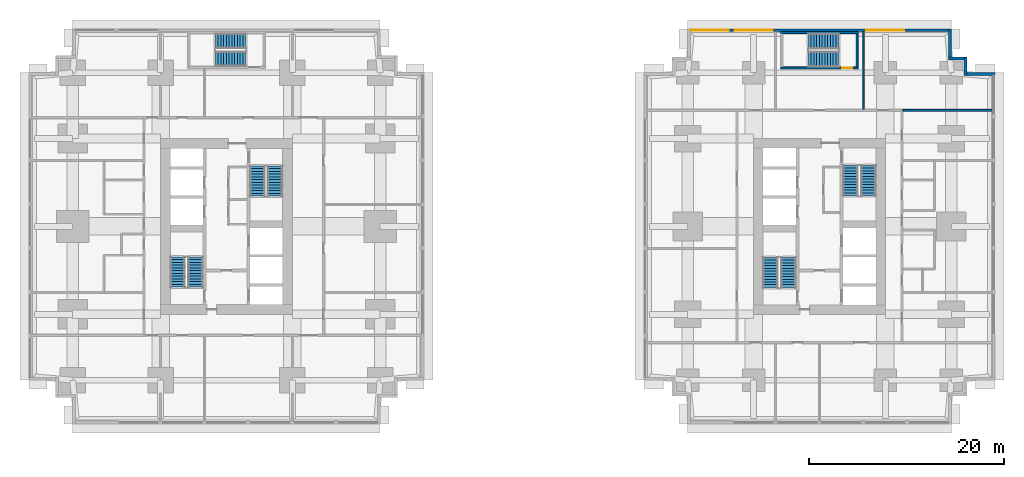
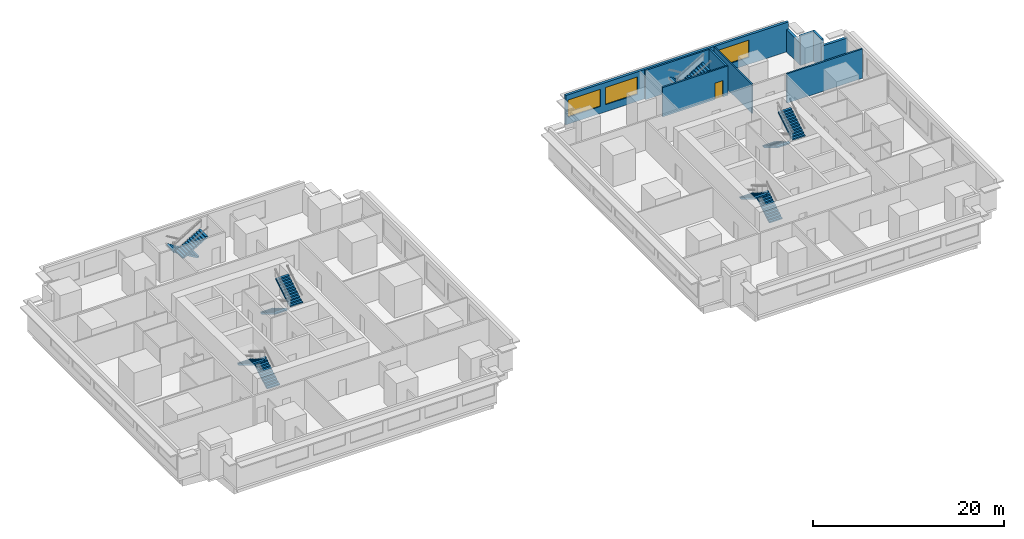
# One storey, part 8 of 11: 12 stair flights, 10 walls, 3 windows, 1 door, 4 openings, 6 elements without a shape of their own.
"""IFC4 building model written with IfcOpenShell, lengths in metres."""

from ifc_helpers import new_model, si_unit, direction, frame, frame_2d, origin, place, context, subcontext, project, spatial, polyline, rectangle, outline, extrude, material, layer, layer_set, type_object, element, fill, aggregate, save


model = new_model("IFC4")

# Units and contexts
model_context = context("Model", 3, precision=1e-05, world=origin(), true_north=direction((0.0, 1.0)))
body_context = subcontext(model_context, "Body", "Model", "MODEL_VIEW")
ifc_project = project(units=[si_unit("LENGTHUNIT", "METRE"), si_unit("AREAUNIT", "SQUARE_METRE"), si_unit("VOLUMEUNIT", "CUBIC_METRE"), si_unit("PLANEANGLEUNIT", "RADIAN"), si_unit("MASSUNIT", "GRAM", prefix="KILO")], contexts=[model_context])

# Site, building, storey
site_placement = place(None, origin())
site = spatial("IfcSite", under=ifc_project, at=site_placement, CompositionType="ELEMENT")
building_placement = place(site_placement, origin())
building = spatial("IfcBuilding", under=site, at=building_placement, Name="Namib Vertical Campus", CompositionType="ELEMENT")
storey_placement = place(building_placement, frame((0.0, 0.0, 37.0)))
storey = spatial("IfcBuildingStorey", under=building, at=storey_placement, Name="L08", CompositionType="ELEMENT", Elevation=37.0)

# Walls
ifc_material_1 = material(Name="Concrete masonry", Category="masonry")
ifc_layer_1 = layer(ifc_material_1, 0.199951171875)
ifc_layer_set_1 = layer_set([ifc_layer_1], Name="Corridor wall 200")
wall_type_1 = type_object("IfcWallType", Name="Corridor wall 200", PredefinedType="SOLIDWALL", material=ifc_layer_set_1)
wall_1_placement = place(storey_placement, frame((89.550048828125, 32.14990234375, 0.0), z_axis=(0.0, 0.0, 1.0), x_axis=(1.0, 0.0, 0.0)))
element("IfcWall", 1, at=wall_1_placement, inside=storey, type_object=wall_type_1, Name="Partition B L08 BNE", PredefinedType="SOLIDWALL", context=body_context, shape_type="SweptSolid", body=[
    extrude(rectangle(XDim=9.14990234375, YDim=0.199951171875, at=frame_2d((4.574951171875, 0.0))), origin(), (0.0, 0.0, 1.0), 3.75),
])
ifc_material_2 = material(Name="Concrete C40/50", Category="concrete")
ifc_layer_2 = layer(ifc_material_2, 0.300048828125)
ifc_layer_set_2 = layer_set([ifc_layer_2], Name="Concrete C40/50")
wall_type_2 = type_object("IfcWallType", Name="External wall 300 board-marked concrete", PredefinedType="STANDARD", material=ifc_layer_set_2)
wall_2_placement = place(storey_placement, frame((98.97998046875, 35.85009765625, 0.0), z_axis=(0.0, 0.0, 1.0), x_axis=(-1.0, 0.0, 0.0)))
element("IfcWall", 2, at=wall_2_placement, inside=storey, type_object=wall_type_2, Name="External wall L08 F07", PredefinedType="STANDARD", context=body_context, shape_type="SweptSolid", body=[
    extrude(rectangle(XDim=3.159912109375, YDim=0.300048828125, at=frame_2d((1.580078125, 0.0))), origin(), (0.0, 0.0, 1.0), 2.85009765625),
])
for number, where, z_axis, x_axis, name in (
    (3, (95.949951171875, 35.719970703125, 0.0), (0.0, 0.0, 1.0), (0.0, 1.0, 0.0), "External wall L08 F08"),
    (4, (96.080078125, 37.449951171875, 0.0), (0.0, 0.0, 1.0), (-1.0, 0.0, 0.0), "External wall L08 F09"),
):
    element("IfcWall", number, at=place(storey_placement, frame(where, z_axis=z_axis, x_axis=x_axis)), inside=storey, type_object=wall_type_2, Name=name, PredefinedType="STANDARD", context=body_context, shape_type="SweptSolid", body=[
        extrude(rectangle(XDim=1.860107421875, YDim=0.300048828125, at=frame_2d((0.93017578125, 0.0))), origin(), (0.0, 0.0, 1.0), 3.75),
    ])
wall_3_placement = place(storey_placement, frame((94.35009765625, 37.320068359375, 0.0), z_axis=(0.0, 0.0, 1.0), x_axis=(0.0, 1.0, 0.0)))
element("IfcWall", 5, at=wall_3_placement, inside=storey, type_object=wall_type_2, Name="External wall L08 F10", PredefinedType="STANDARD", context=body_context, shape_type="SweptSolid", body=[
    extrude(rectangle(XDim=3.159912109375, YDim=0.300048828125, at=frame_2d((1.580078125, 0.0))), origin(), (0.0, 0.0, 1.0), 2.85009765625),
])

# Wall, openings, windows
wall_4_placement = place(storey_placement, frame((94.47998046875, 40.35009765625, 0.0), z_axis=(0.0, 0.0, 1.0), x_axis=(-1.0, 0.0, 0.0)))
wall_4 = element("IfcWall", 6, at=wall_4_placement, inside=storey, type_object=wall_type_2, Name="External wall L08 F11", PredefinedType="STANDARD", context=body_context, shape_type="SweptSolid", body=[
    extrude(rectangle(XDim=26.9599609375, YDim=0.300048828125, at=frame_2d((13.47998046875, 0.0))), origin(), (0.0, 0.0, 1.0), 3.75),
])
opening_1_placement = place(wall_4_placement, frame((22.780029296875, 0.0, 0.89990234375)))
opening_1 = element("IfcOpeningElement", 7, at=opening_1_placement, cuts=wall_4, Name="Opening W1", PredefinedType="OPENING", context=body_context, shape_type="SweptSolid", body=[
    extrude(rectangle(XDim=3.89990234375, YDim=2.199951171875, at=frame_2d((1.949951171875, 1.10009765625))), frame((0.0, 0.159912109375, 0.0), z_axis=(0.0, -1.0, 0.0), x_axis=(1.0, 0.0, 0.0)), (0.0, 0.0, 1.0), 0.320068359375),
])
opening_2_placement = place(wall_4_placement, frame((18.280029296875, 0.0, 0.89990234375)))
opening_2 = element("IfcOpeningElement", 8, at=opening_2_placement, cuts=wall_4, Name="Opening W1", PredefinedType="OPENING", context=body_context, shape_type="SweptSolid", body=[
    extrude(rectangle(XDim=3.89990234375, YDim=2.199951171875, at=frame_2d((1.949951171875, 1.10009765625))), frame((0.0, 0.159912109375, 0.0), z_axis=(0.0, -1.0, 0.0), x_axis=(1.0, 0.0, 0.0)), (0.0, 0.0, 1.0), 0.320068359375),
])
opening_3_placement = place(wall_4_placement, frame((4.780029296875, 0.0, 0.89990234375)))
opening_3 = element("IfcOpeningElement", 9, at=opening_3_placement, cuts=wall_4, Name="Opening W1", PredefinedType="OPENING", context=body_context, shape_type="SweptSolid", body=[
    extrude(rectangle(XDim=3.89990234375, YDim=2.199951171875, at=frame_2d((1.949951171875, 1.10009765625))), frame((0.0, 0.159912109375, 0.0), z_axis=(0.0, -1.0, 0.0), x_axis=(1.0, 0.0, 0.0)), (0.0, 0.0, 1.0), 0.320068359375),
])
ifc_material_3 = material(Name="Dark tinted glass in black aluminium frame", Category="aluminium")
window_type = type_object("IfcWindowType", Name="Ribbon window 3900x2200", PartitioningType="SINGLE_PANEL", PredefinedType="WINDOW", material=ifc_material_3)
window_1_placement = place(opening_1_placement, origin())
window_1 = element("IfcWindow", 10, at=window_1_placement, inside=storey, type_object=window_type, Name="Window W1 L08 F11-1", OverallHeight=2.199951171875, OverallWidth=3.89990234375, PartitioningType="SINGLE_PANEL", PredefinedType="WINDOW", context=body_context, shape_type="SweptSolid", body=[
    extrude(rectangle(XDim=3.89990234375, YDim=2.199951171875, at=frame_2d((1.949951171875, 1.10009765625))), frame((0.0, 0.030029296875, 0.0), z_axis=(0.0, -1.0, 0.0), x_axis=(1.0, 0.0, 0.0)), (0.0, 0.0, 1.0), 0.06005859375),
])
fill(opening_1, window_1)
window_2_placement = place(opening_2_placement, origin())
window_2 = element("IfcWindow", 11, at=window_2_placement, inside=storey, type_object=window_type, Name="Window W1 L08 F11-2", OverallHeight=2.199951171875, OverallWidth=3.89990234375, PartitioningType="SINGLE_PANEL", PredefinedType="WINDOW", context=body_context, shape_type="SweptSolid", body=[
    extrude(rectangle(XDim=3.89990234375, YDim=2.199951171875, at=frame_2d((1.949951171875, 1.10009765625))), frame((0.0, 0.030029296875, 0.0), z_axis=(0.0, -1.0, 0.0), x_axis=(1.0, 0.0, 0.0)), (0.0, 0.0, 1.0), 0.06005859375),
])
fill(opening_2, window_2)
window_3_placement = place(opening_3_placement, origin())
window_3 = element("IfcWindow", 12, at=window_3_placement, inside=storey, type_object=window_type, Name="Window W1 L08 F11-5", OverallHeight=2.199951171875, OverallWidth=3.89990234375, PartitioningType="SINGLE_PANEL", PredefinedType="WINDOW", context=body_context, shape_type="SweptSolid", body=[
    extrude(rectangle(XDim=3.89990234375, YDim=2.199951171875, at=frame_2d((1.949951171875, 1.10009765625))), frame((0.0, 0.030029296875, 0.0), z_axis=(0.0, -1.0, 0.0), x_axis=(1.0, 0.0, 0.0)), (0.0, 0.0, 1.0), 0.06005859375),
])
fill(opening_3, window_3)

# Wall
ifc_material_4 = material(Name="Gypsum board on steel studs", Category="steel")
ifc_layer_3 = layer(ifc_material_4, 0.14990234375)
ifc_layer_set_3 = layer_set([ifc_layer_3], Name="Gypsum board on steel studs")
wall_type_3 = type_object("IfcWallType", Name="Partition 150", PredefinedType="PARTITIONING", material=ifc_layer_set_3)
wall_5_placement = place(storey_placement, frame((85.5, 32.25, 0.0), z_axis=(0.0, 0.0, 1.0), x_axis=(0.0, 1.0, 0.0)))
element("IfcWall", 13, at=wall_5_placement, inside=storey, type_object=wall_type_3, Name="Partition B L08 PN2", PredefinedType="PARTITIONING", context=body_context, shape_type="SweptSolid", body=[
    extrude(rectangle(XDim=7.949951171875, YDim=0.14990234375, at=frame_2d((3.97509765625, 0.0))), origin(), (0.0, 0.0, 1.0), 3.75),
])

# Wall, opening, door
ifc_material_5 = material(Name="Concrete C40/50", Category="concrete")
ifc_layer_4 = layer(ifc_material_5, 0.199951171875)
ifc_layer_set_4 = layer_set([ifc_layer_4], Name="Concrete C40/50")
wall_type_4 = type_object("IfcWallType", Name="Stair enclosure wall RC 200", PredefinedType="SOLIDWALL", material=ifc_layer_set_4)
wall_6_placement = place(storey_placement, frame((77.050048828125, 36.5, 0.0), z_axis=(0.0, 0.0, 1.0), x_axis=(1.0, 0.0, 0.0)))
wall_6 = element("IfcWall", 14, at=wall_6_placement, inside=storey, type_object=wall_type_4, Name="Stair enclosure wall B-S3 L08 S", PredefinedType="SOLIDWALL", context=body_context, shape_type="SweptSolid", body=[
    extrude(rectangle(XDim=7.89990234375, YDim=0.199951171875, at=frame_2d((3.949951171875, 0.0))), origin(), (0.0, 0.0, 1.0), 3.75),
])
opening_4_placement = place(wall_6_placement, frame((6.300048828125, 0.0, 0.0)))
opening_4 = element("IfcOpeningElement", 15, at=opening_4_placement, cuts=wall_6, Name="Opening FD1", PredefinedType="OPENING", context=body_context, shape_type="SweptSolid", body=[
    extrude(rectangle(XDim=1.0, YDim=2.10009765625, at=frame_2d((0.5, 1.050048828125))), frame((0.0, 0.10986328125, 0.0), z_axis=(0.0, -1.0, 0.0), x_axis=(1.0, 0.0, 0.0)), (0.0, 0.0, 1.0), 0.219970703125),
])
ifc_material_6 = material(Name="Steel fire door", Category="steel")
door_type = type_object("IfcDoorType", Name="Fire door 1000x2100", OperationType="SINGLE_SWING_RIGHT", PredefinedType="DOOR", material=ifc_material_6)
door_placement = place(opening_4_placement, origin())
door = element("IfcDoor", 16, at=door_placement, inside=storey, type_object=door_type, Name="Stair door FD1 B L08 S3", OperationType="SINGLE_SWING_RIGHT", OverallHeight=2.10009765625, OverallWidth=1.0, PredefinedType="DOOR", context=body_context, shape_type="SweptSolid", body=[
    extrude(rectangle(XDim=1.0, YDim=2.10009765625, at=frame_2d((0.5, 1.050048828125))), frame((0.0, 0.02490234375, 0.0), z_axis=(0.0, -1.0, 0.0), x_axis=(1.0, 0.0, 0.0)), (0.0, 0.0, 1.0), 0.050048828125),
])
fill(opening_4, door)

# Walls
wall_7_placement = place(storey_placement, frame((77.050048828125, 40.10009765625, 0.0), z_axis=(0.0, 0.0, 1.0), x_axis=(1.0, 0.0, 0.0)))
element("IfcWall", 17, at=wall_7_placement, inside=storey, type_object=wall_type_4, Name="Stair enclosure wall B-S3 L08 N", PredefinedType="SOLIDWALL", context=body_context, shape_type="SweptSolid", body=[
    extrude(rectangle(XDim=7.89990234375, YDim=0.199951171875, at=frame_2d((3.949951171875, 0.0))), origin(), (0.0, 0.0, 1.0), 3.75),
])
wall_8_placement = place(storey_placement, frame((84.85009765625, 36.60009765625, 0.0), z_axis=(0.0, 0.0, 1.0), x_axis=(0.0, 1.0, 0.0)))
element("IfcWall", 18, at=wall_8_placement, inside=storey, type_object=wall_type_4, Name="Stair enclosure wall B-S3 L08 E", PredefinedType="SOLIDWALL", context=body_context, shape_type="SweptSolid", body=[
    extrude(rectangle(XDim=3.39990234375, YDim=0.199951171875, at=frame_2d((1.699951171875, 0.0))), origin(), (0.0, 0.0, 1.0), 3.75),
])

# Stair, stair flights
ifc_material_7 = material(Name="Concrete C40/50 precast", Category="concrete")
stair_type_1 = type_object("IfcStairType", Name="Exit stair 4000 rise 24 risers 3350 wide", PredefinedType="HALF_TURN_STAIR", material=ifc_material_7)
stair_1_placement = place(storey_placement, origin())
stair_1 = element("IfcStair", 19, at=stair_1_placement, inside=storey, type_object=stair_type_1, Name="Exit stair A-S1 L08", PredefinedType="HALF_TURN_STAIR")
ifc_material_8 = material(Name="Concrete C40/50 precast", Category="concrete")
stair_flight_type_1 = type_object("IfcStairFlightType", Name="Stair flight 12 risers 167 1525 wide", PredefinedType="STRAIGHT", material=ifc_material_8)
stair_flight_1_placement = place(storey_placement, frame((17.08740234375, 14.050048828125, 0.0), z_axis=(0.0, 0.0, 1.0), x_axis=(0.0, 1.0, 0.0)))
stair_flight_1 = element("IfcStairFlight", 20, at=stair_flight_1_placement, type_object=stair_flight_type_1, Name="A-S1 flight 1", NumberOfRisers=12, NumberOfTreads=11, PredefinedType="STRAIGHT", RiserHeight=0.166666667, TreadLength=0.28, context=body_context, shape_type="SweptSolid", body=[
    extrude(outline(polyline([(0.0, 0.0), (0.0, 0.166748046875), (0.280029296875, 0.166748046875), (0.280029296875, 0.333251953125), (0.56005859375, 0.333251953125), (0.56005859375, 0.5), (0.840087890625, 0.5), (0.840087890625, 0.666748046875), (1.1201171875, 0.666748046875), (1.1201171875, 0.833251953125), (1.39990234375, 0.833251953125), (1.39990234375, 1.0), (1.679931640625, 1.0), (1.679931640625, 1.166748046875), (1.9599609375, 1.166748046875), (1.9599609375, 1.333251953125), (2.239990234375, 1.333251953125), (2.239990234375, 1.5), (2.52001953125, 1.5), (2.52001953125, 1.666748046875), (2.800048828125, 1.666748046875), (2.800048828125, 1.833251953125), (3.080078125, 1.833251953125), (3.080078125, 2.0), (3.080078125, 1.658935546875), (0.29296875, 0.0), (0.0, 0.0)])), frame((0.0, 0.762451171875, 0.0), z_axis=(0.0, -1.0, 0.0), x_axis=(1.0, 0.0, 0.0)), (0.0, 0.0, 1.0), 1.52490234375),
])
stair_flight_2_placement = place(storey_placement, frame((15.262451171875, 17.1298828125, 2.0), z_axis=(0.0, 0.0, 1.0), x_axis=(0.0, -1.0, 0.0)))
stair_flight_2 = element("IfcStairFlight", 21, at=stair_flight_2_placement, type_object=stair_flight_type_1, Name="A-S1 flight 2", NumberOfRisers=12, NumberOfTreads=11, PredefinedType="STRAIGHT", RiserHeight=0.166666667, TreadLength=0.28, context=body_context, shape_type="SweptSolid", body=[
    extrude(outline(polyline([(0.0, 0.0), (0.0, 0.166748046875), (0.280029296875, 0.166748046875), (0.280029296875, 0.333251953125), (0.56005859375, 0.333251953125), (0.56005859375, 0.5), (0.840087890625, 0.5), (0.840087890625, 0.666748046875), (1.1201171875, 0.666748046875), (1.1201171875, 0.833251953125), (1.39990234375, 0.833251953125), (1.39990234375, 1.0), (1.679931640625, 1.0), (1.679931640625, 1.166748046875), (1.9599609375, 1.166748046875), (1.9599609375, 1.333251953125), (2.239990234375, 1.333251953125), (2.239990234375, 1.5), (2.52001953125, 1.5), (2.52001953125, 1.666748046875), (2.800048828125, 1.666748046875), (2.800048828125, 1.833251953125), (3.080078125, 1.833251953125), (3.080078125, 2.0), (3.080078125, 1.658935546875), (0.29296875, 0.0), (0.0, 0.0)])), frame((0.0, 0.762451171875, 0.0), z_axis=(0.0, -1.0, 0.0), x_axis=(1.0, 0.0, 0.0)), (0.0, 0.0, 1.0), 1.52490234375),
])
aggregate(stair_1, [stair_flight_1, stair_flight_2])

stair_2_placement = place(storey_placement, origin())
stair_2 = element("IfcStair", 22, at=stair_2_placement, inside=storey, type_object=stair_type_1, Name="Exit stair A-S2 L08", PredefinedType="HALF_TURN_STAIR")
stair_flight_3_placement = place(storey_placement, frame((23.41259765625, 26.449951171875, 0.0), z_axis=(0.0, 0.0, 1.0), x_axis=(0.0, -1.0, 0.0)))
stair_flight_3 = element("IfcStairFlight", 23, at=stair_flight_3_placement, type_object=stair_flight_type_1, Name="A-S2 flight 1", NumberOfRisers=12, NumberOfTreads=11, PredefinedType="STRAIGHT", RiserHeight=0.166666667, TreadLength=0.28, context=body_context, shape_type="SweptSolid", body=[
    extrude(outline(polyline([(0.0, 0.0), (0.0, 0.166748046875), (0.280029296875, 0.166748046875), (0.280029296875, 0.333251953125), (0.56005859375, 0.333251953125), (0.56005859375, 0.5), (0.840087890625, 0.5), (0.840087890625, 0.666748046875), (1.1201171875, 0.666748046875), (1.1201171875, 0.833251953125), (1.39990234375, 0.833251953125), (1.39990234375, 1.0), (1.679931640625, 1.0), (1.679931640625, 1.166748046875), (1.9599609375, 1.166748046875), (1.9599609375, 1.333251953125), (2.239990234375, 1.333251953125), (2.239990234375, 1.5), (2.52001953125, 1.5), (2.52001953125, 1.666748046875), (2.800048828125, 1.666748046875), (2.800048828125, 1.833251953125), (3.080078125, 1.833251953125), (3.080078125, 2.0), (3.080078125, 1.658935546875), (0.29296875, 0.0), (0.0, 0.0)])), frame((0.0, 0.762451171875, 0.0), z_axis=(0.0, -1.0, 0.0), x_axis=(1.0, 0.0, 0.0)), (0.0, 0.0, 1.0), 1.52490234375),
])
stair_flight_4_placement = place(storey_placement, frame((25.237548828125, 23.3701171875, 2.0), z_axis=(0.0, 0.0, 1.0), x_axis=(0.0, 1.0, 0.0)))
stair_flight_4 = element("IfcStairFlight", 24, at=stair_flight_4_placement, type_object=stair_flight_type_1, Name="A-S2 flight 2", NumberOfRisers=12, NumberOfTreads=11, PredefinedType="STRAIGHT", RiserHeight=0.166666667, TreadLength=0.28, context=body_context, shape_type="SweptSolid", body=[
    extrude(outline(polyline([(0.0, 0.0), (0.0, 0.166748046875), (0.280029296875, 0.166748046875), (0.280029296875, 0.333251953125), (0.56005859375, 0.333251953125), (0.56005859375, 0.5), (0.840087890625, 0.5), (0.840087890625, 0.666748046875), (1.1201171875, 0.666748046875), (1.1201171875, 0.833251953125), (1.39990234375, 0.833251953125), (1.39990234375, 1.0), (1.679931640625, 1.0), (1.679931640625, 1.166748046875), (1.9599609375, 1.166748046875), (1.9599609375, 1.333251953125), (2.239990234375, 1.333251953125), (2.239990234375, 1.5), (2.52001953125, 1.5), (2.52001953125, 1.666748046875), (2.800048828125, 1.666748046875), (2.800048828125, 1.833251953125), (3.080078125, 1.833251953125), (3.080078125, 2.0), (3.080078125, 1.658935546875), (0.29296875, 0.0), (0.0, 0.0)])), frame((0.0, 0.762451171875, 0.0), z_axis=(0.0, -1.0, 0.0), x_axis=(1.0, 0.0, 0.0)), (0.0, 0.0, 1.0), 1.52490234375),
])
aggregate(stair_2, [stair_flight_3, stair_flight_4])

stair_3_placement = place(storey_placement, origin())
stair_3 = element("IfcStair", 25, at=stair_3_placement, inside=storey, type_object=stair_type_1, Name="Exit stair A-S3 L08", PredefinedType="HALF_TURN_STAIR")
stair_flight_5_placement = place(storey_placement, frame((22.199951171875, 39.237548828125, 0.0), z_axis=(0.0, 0.0, 1.0), x_axis=(-1.0, 0.0, 0.0)))
stair_flight_5 = element("IfcStairFlight", 26, at=stair_flight_5_placement, type_object=stair_flight_type_1, Name="A-S3 flight 1", NumberOfRisers=12, NumberOfTreads=11, PredefinedType="STRAIGHT", RiserHeight=0.166666667, TreadLength=0.28, context=body_context, shape_type="SweptSolid", body=[
    extrude(outline(polyline([(0.0, 0.0), (0.0, 0.166748046875), (0.280029296875, 0.166748046875), (0.280029296875, 0.333251953125), (0.56005859375, 0.333251953125), (0.56005859375, 0.5), (0.840087890625, 0.5), (0.840087890625, 0.666748046875), (1.1201171875, 0.666748046875), (1.1201171875, 0.833251953125), (1.39990234375, 0.833251953125), (1.39990234375, 1.0), (1.679931640625, 1.0), (1.679931640625, 1.166748046875), (1.9599609375, 1.166748046875), (1.9599609375, 1.333251953125), (2.239990234375, 1.333251953125), (2.239990234375, 1.5), (2.52001953125, 1.5), (2.52001953125, 1.666748046875), (2.800048828125, 1.666748046875), (2.800048828125, 1.833251953125), (3.080078125, 1.833251953125), (3.080078125, 2.0), (3.080078125, 1.658935546875), (0.29296875, 0.0), (0.0, 0.0)])), frame((0.0, 0.762451171875, 0.0), z_axis=(0.0, -1.0, 0.0), x_axis=(1.0, 0.0, 0.0)), (0.0, 0.0, 1.0), 1.52490234375),
])
stair_flight_6_placement = place(storey_placement, frame((19.1201171875, 37.41259765625, 2.0), z_axis=(0.0, 0.0, 1.0), x_axis=(1.0, 0.0, 0.0)))
stair_flight_6 = element("IfcStairFlight", 27, at=stair_flight_6_placement, type_object=stair_flight_type_1, Name="A-S3 flight 2", NumberOfRisers=12, NumberOfTreads=11, PredefinedType="STRAIGHT", RiserHeight=0.166666667, TreadLength=0.28, context=body_context, shape_type="SweptSolid", body=[
    extrude(outline(polyline([(0.0, 0.0), (0.0, 0.166748046875), (0.280029296875, 0.166748046875), (0.280029296875, 0.333251953125), (0.56005859375, 0.333251953125), (0.56005859375, 0.5), (0.840087890625, 0.5), (0.840087890625, 0.666748046875), (1.1201171875, 0.666748046875), (1.1201171875, 0.833251953125), (1.39990234375, 0.833251953125), (1.39990234375, 1.0), (1.679931640625, 1.0), (1.679931640625, 1.166748046875), (1.9599609375, 1.166748046875), (1.9599609375, 1.333251953125), (2.239990234375, 1.333251953125), (2.239990234375, 1.5), (2.52001953125, 1.5), (2.52001953125, 1.666748046875), (2.800048828125, 1.666748046875), (2.800048828125, 1.833251953125), (3.080078125, 1.833251953125), (3.080078125, 2.0), (3.080078125, 1.658935546875), (0.29296875, 0.0), (0.0, 0.0)])), frame((0.0, 0.762451171875, 0.0), z_axis=(0.0, -1.0, 0.0), x_axis=(1.0, 0.0, 0.0)), (0.0, 0.0, 1.0), 1.52490234375),
])
aggregate(stair_3, [stair_flight_5, stair_flight_6])

ifc_material_9 = material(Name="Concrete C40/50 precast", Category="concrete")
stair_type_2 = type_object("IfcStairType", Name="Exit stair 4000 rise 24 risers 3400 wide", PredefinedType="HALF_TURN_STAIR", material=ifc_material_9)
stair_4_placement = place(storey_placement, origin())
stair_4 = element("IfcStair", 28, at=stair_4_placement, inside=storey, type_object=stair_type_2, Name="Exit stair B-S1 L08", PredefinedType="HALF_TURN_STAIR")
ifc_material_10 = material(Name="Concrete C40/50 precast", Category="concrete")
stair_flight_type_2 = type_object("IfcStairFlightType", Name="Stair flight 12 risers 167 1550 wide", PredefinedType="STRAIGHT", material=ifc_material_10)
stair_flight_7_placement = place(storey_placement, frame((77.824951171875, 14.0, 0.0), z_axis=(0.0, 0.0, 1.0), x_axis=(0.0, 1.0, 0.0)))
stair_flight_7 = element("IfcStairFlight", 29, at=stair_flight_7_placement, type_object=stair_flight_type_2, Name="B-S1 flight 1", NumberOfRisers=12, NumberOfTreads=11, PredefinedType="STRAIGHT", RiserHeight=0.166666667, TreadLength=0.28, context=body_context, shape_type="SweptSolid", body=[
    extrude(outline(polyline([(0.0, 0.0), (0.0, 0.166748046875), (0.280029296875, 0.166748046875), (0.280029296875, 0.333251953125), (0.56005859375, 0.333251953125), (0.56005859375, 0.5), (0.840087890625, 0.5), (0.840087890625, 0.666748046875), (1.1201171875, 0.666748046875), (1.1201171875, 0.833251953125), (1.39990234375, 0.833251953125), (1.39990234375, 1.0), (1.679931640625, 1.0), (1.679931640625, 1.166748046875), (1.9599609375, 1.166748046875), (1.9599609375, 1.333251953125), (2.239990234375, 1.333251953125), (2.239990234375, 1.5), (2.52001953125, 1.5), (2.52001953125, 1.666748046875), (2.800048828125, 1.666748046875), (2.800048828125, 1.833251953125), (3.080078125, 1.833251953125), (3.080078125, 2.0), (3.080078125, 1.658935546875), (0.29296875, 0.0), (0.0, 0.0)])), frame((0.0, 0.77490234375, 0.0), z_axis=(0.0, -1.0, 0.0), x_axis=(1.0, 0.0, 0.0)), (0.0, 0.0, 1.0), 1.550048828125),
])
stair_flight_8_placement = place(storey_placement, frame((75.97509765625, 17.080078125, 2.0), z_axis=(0.0, 0.0, 1.0), x_axis=(0.0, -1.0, 0.0)))
stair_flight_8 = element("IfcStairFlight", 30, at=stair_flight_8_placement, type_object=stair_flight_type_2, Name="B-S1 flight 2", NumberOfRisers=12, NumberOfTreads=11, PredefinedType="STRAIGHT", RiserHeight=0.166666667, TreadLength=0.28, context=body_context, shape_type="SweptSolid", body=[
    extrude(outline(polyline([(0.0, 0.0), (0.0, 0.166748046875), (0.280029296875, 0.166748046875), (0.280029296875, 0.333251953125), (0.56005859375, 0.333251953125), (0.56005859375, 0.5), (0.840087890625, 0.5), (0.840087890625, 0.666748046875), (1.1201171875, 0.666748046875), (1.1201171875, 0.833251953125), (1.39990234375, 0.833251953125), (1.39990234375, 1.0), (1.679931640625, 1.0), (1.679931640625, 1.166748046875), (1.9599609375, 1.166748046875), (1.9599609375, 1.333251953125), (2.239990234375, 1.333251953125), (2.239990234375, 1.5), (2.52001953125, 1.5), (2.52001953125, 1.666748046875), (2.800048828125, 1.666748046875), (2.800048828125, 1.833251953125), (3.080078125, 1.833251953125), (3.080078125, 2.0), (3.080078125, 1.658935546875), (0.29296875, 0.0), (0.0, 0.0)])), frame((0.0, 0.77490234375, 0.0), z_axis=(0.0, -1.0, 0.0), x_axis=(1.0, 0.0, 0.0)), (0.0, 0.0, 1.0), 1.550048828125),
])
aggregate(stair_4, [stair_flight_7, stair_flight_8])

stair_5_placement = place(storey_placement, origin())
stair_5 = element("IfcStair", 31, at=stair_5_placement, inside=storey, type_object=stair_type_2, Name="Exit stair B-S2 L08", PredefinedType="HALF_TURN_STAIR")
stair_flight_9_placement = place(storey_placement, frame((84.175048828125, 26.5, 0.0), z_axis=(0.0, 0.0, 1.0), x_axis=(0.0, -1.0, 0.0)))
stair_flight_9 = element("IfcStairFlight", 32, at=stair_flight_9_placement, type_object=stair_flight_type_2, Name="B-S2 flight 1", NumberOfRisers=12, NumberOfTreads=11, PredefinedType="STRAIGHT", RiserHeight=0.166666667, TreadLength=0.28, context=body_context, shape_type="SweptSolid", body=[
    extrude(outline(polyline([(0.0, 0.0), (0.0, 0.166748046875), (0.280029296875, 0.166748046875), (0.280029296875, 0.333251953125), (0.56005859375, 0.333251953125), (0.56005859375, 0.5), (0.840087890625, 0.5), (0.840087890625, 0.666748046875), (1.1201171875, 0.666748046875), (1.1201171875, 0.833251953125), (1.39990234375, 0.833251953125), (1.39990234375, 1.0), (1.679931640625, 1.0), (1.679931640625, 1.166748046875), (1.9599609375, 1.166748046875), (1.9599609375, 1.333251953125), (2.239990234375, 1.333251953125), (2.239990234375, 1.5), (2.52001953125, 1.5), (2.52001953125, 1.666748046875), (2.800048828125, 1.666748046875), (2.800048828125, 1.833251953125), (3.080078125, 1.833251953125), (3.080078125, 2.0), (3.080078125, 1.658935546875), (0.29296875, 0.0), (0.0, 0.0)])), frame((0.0, 0.77490234375, 0.0), z_axis=(0.0, -1.0, 0.0), x_axis=(1.0, 0.0, 0.0)), (0.0, 0.0, 1.0), 1.550048828125),
])
stair_flight_10_placement = place(storey_placement, frame((86.02490234375, 23.419921875, 2.0), z_axis=(0.0, 0.0, 1.0), x_axis=(0.0, 1.0, 0.0)))
stair_flight_10 = element("IfcStairFlight", 33, at=stair_flight_10_placement, type_object=stair_flight_type_2, Name="B-S2 flight 2", NumberOfRisers=12, NumberOfTreads=11, PredefinedType="STRAIGHT", RiserHeight=0.166666667, TreadLength=0.28, context=body_context, shape_type="SweptSolid", body=[
    extrude(outline(polyline([(0.0, 0.0), (0.0, 0.166748046875), (0.280029296875, 0.166748046875), (0.280029296875, 0.333251953125), (0.56005859375, 0.333251953125), (0.56005859375, 0.5), (0.840087890625, 0.5), (0.840087890625, 0.666748046875), (1.1201171875, 0.666748046875), (1.1201171875, 0.833251953125), (1.39990234375, 0.833251953125), (1.39990234375, 1.0), (1.679931640625, 1.0), (1.679931640625, 1.166748046875), (1.9599609375, 1.166748046875), (1.9599609375, 1.333251953125), (2.239990234375, 1.333251953125), (2.239990234375, 1.5), (2.52001953125, 1.5), (2.52001953125, 1.666748046875), (2.800048828125, 1.666748046875), (2.800048828125, 1.833251953125), (3.080078125, 1.833251953125), (3.080078125, 2.0), (3.080078125, 1.658935546875), (0.29296875, 0.0), (0.0, 0.0)])), frame((0.0, 0.77490234375, 0.0), z_axis=(0.0, -1.0, 0.0), x_axis=(1.0, 0.0, 0.0)), (0.0, 0.0, 1.0), 1.550048828125),
])
aggregate(stair_5, [stair_flight_9, stair_flight_10])

stair_6_placement = place(storey_placement, origin())
stair_6 = element("IfcStair", 34, at=stair_6_placement, inside=storey, type_object=stair_type_2, Name="Exit stair B-S3 L08", PredefinedType="HALF_TURN_STAIR")
stair_flight_11_placement = place(storey_placement, frame((82.949951171875, 39.22509765625, 0.0), z_axis=(0.0, 0.0, 1.0), x_axis=(-1.0, 0.0, 0.0)))
stair_flight_11 = element("IfcStairFlight", 35, at=stair_flight_11_placement, type_object=stair_flight_type_2, Name="B-S3 flight 1", NumberOfRisers=12, NumberOfTreads=11, PredefinedType="STRAIGHT", RiserHeight=0.166666667, TreadLength=0.28, context=body_context, shape_type="SweptSolid", body=[
    extrude(outline(polyline([(0.0, 0.0), (0.0, 0.166748046875), (0.280029296875, 0.166748046875), (0.280029296875, 0.333251953125), (0.56005859375, 0.333251953125), (0.56005859375, 0.5), (0.840087890625, 0.5), (0.840087890625, 0.666748046875), (1.1201171875, 0.666748046875), (1.1201171875, 0.833251953125), (1.39990234375, 0.833251953125), (1.39990234375, 1.0), (1.679931640625, 1.0), (1.679931640625, 1.166748046875), (1.9599609375, 1.166748046875), (1.9599609375, 1.333251953125), (2.239990234375, 1.333251953125), (2.239990234375, 1.5), (2.52001953125, 1.5), (2.52001953125, 1.666748046875), (2.800048828125, 1.666748046875), (2.800048828125, 1.833251953125), (3.080078125, 1.833251953125), (3.080078125, 2.0), (3.080078125, 1.658935546875), (0.29296875, 0.0), (0.0, 0.0)])), frame((0.0, 0.77490234375, 0.0), z_axis=(0.0, -1.0, 0.0), x_axis=(1.0, 0.0, 0.0)), (0.0, 0.0, 1.0), 1.550048828125),
])
stair_flight_12_placement = place(storey_placement, frame((79.8701171875, 37.375, 2.0), z_axis=(0.0, 0.0, 1.0), x_axis=(1.0, 0.0, 0.0)))
stair_flight_12 = element("IfcStairFlight", 36, at=stair_flight_12_placement, type_object=stair_flight_type_2, Name="B-S3 flight 2", NumberOfRisers=12, NumberOfTreads=11, PredefinedType="STRAIGHT", RiserHeight=0.166666667, TreadLength=0.28, context=body_context, shape_type="SweptSolid", body=[
    extrude(outline(polyline([(0.0, 0.0), (0.0, 0.166748046875), (0.280029296875, 0.166748046875), (0.280029296875, 0.333251953125), (0.56005859375, 0.333251953125), (0.56005859375, 0.5), (0.840087890625, 0.5), (0.840087890625, 0.666748046875), (1.1201171875, 0.666748046875), (1.1201171875, 0.833251953125), (1.39990234375, 0.833251953125), (1.39990234375, 1.0), (1.679931640625, 1.0), (1.679931640625, 1.166748046875), (1.9599609375, 1.166748046875), (1.9599609375, 1.333251953125), (2.239990234375, 1.333251953125), (2.239990234375, 1.5), (2.52001953125, 1.5), (2.52001953125, 1.666748046875), (2.800048828125, 1.666748046875), (2.800048828125, 1.833251953125), (3.080078125, 1.833251953125), (3.080078125, 2.0), (3.080078125, 1.658935546875), (0.29296875, 0.0), (0.0, 0.0)])), frame((0.0, 0.77490234375, 0.0), z_axis=(0.0, -1.0, 0.0), x_axis=(1.0, 0.0, 0.0)), (0.0, 0.0, 1.0), 1.550048828125),
])
aggregate(stair_6, [stair_flight_11, stair_flight_12])

save(model, "model.ifc")
